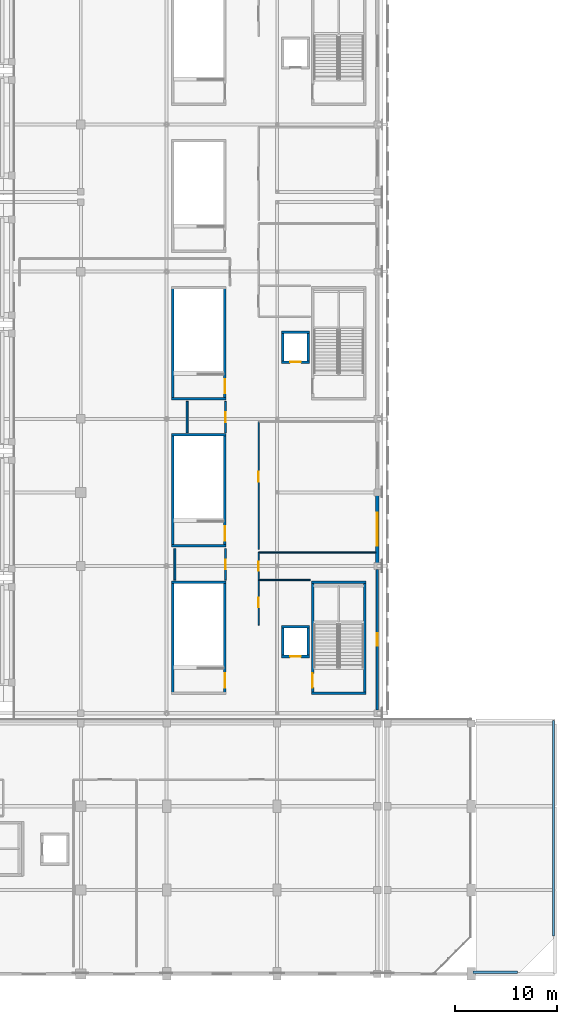
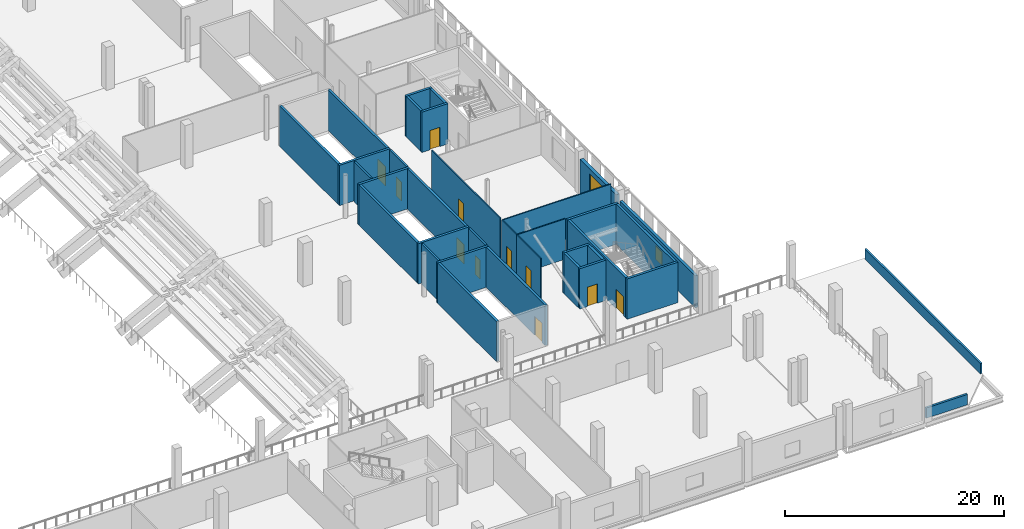
# One storey, part 37 of 74: 35 walls, 11 doors, 2 windows, 13 openings.
"""IFC4 building model written with IfcOpenShell, lengths in metres."""

from ifc_helpers import new_model, si_unit, direction, frame, frame_2d, origin, place, context, subcontext, project, spatial, rectangle, extrude, material, layer, layer_set, type_object, element, fill, save


model = new_model("IFC4")

# Units and contexts
model_context = context("Model", 3, precision=1e-05, world=origin(), true_north=direction((0.0, 1.0)))
body_context = subcontext(model_context, "Body", "Model", "MODEL_VIEW")
ifc_project = project(units=[si_unit("LENGTHUNIT", "METRE"), si_unit("AREAUNIT", "SQUARE_METRE"), si_unit("VOLUMEUNIT", "CUBIC_METRE"), si_unit("PLANEANGLEUNIT", "RADIAN"), si_unit("MASSUNIT", "GRAM", prefix="KILO")], contexts=[model_context])

# Site, building, storey
site_placement = place(None, origin())
site = spatial("IfcSite", under=ifc_project, at=site_placement, CompositionType="ELEMENT")
building_placement = place(site_placement, origin())
building = spatial("IfcBuilding", under=site, at=building_placement, Name="Koshinbarg Plaza Stadium", CompositionType="ELEMENT")
storey_placement = place(building_placement, frame((0.0, 0.0, 15.0)))
storey = spatial("IfcBuildingStorey", under=building, at=storey_placement, Name="L03", CompositionType="ELEMENT", Elevation=15.0)

# Walls
ifc_material_1 = material(Name="Concrete C40/50", Category="concrete")
ifc_layer_1 = layer(ifc_material_1, 0.25)
ifc_layer_set_1 = layer_set([ifc_layer_1], Name="Concrete C40/50")
wall_type_1 = type_object("IfcWallType", Name="WL-CORE-250", PredefinedType="SHEAR", material=ifc_layer_set_1)
for number, where, z_axis, x_axis, name in (
    (1, (211.949951171875, 27.47509765625, 0.0), (0.0, 0.0, 1.0), (1.0, 0.0, 0.0), "L03 core stair shear wall C07-near IWL-L03-0174"),
    (2, (217.320068359375, 38.324951171875, 0.0), (0.0, 0.0, 1.0), (-1.0, 0.0, 0.0), "L03 core stair shear wall C07-far IWL-L03-0175"),
):
    element("IfcWall", number, at=place(storey_placement, frame(where, z_axis=z_axis, x_axis=x_axis)), inside=storey, type_object=wall_type_1, Name=name, PredefinedType="SHEAR", context=body_context, shape_type="SweptSolid", body=[
        extrude(rectangle(XDim=5.3701171875, YDim=0.25, at=frame_2d((2.68505859375, 0.0))), origin(), (0.0, 0.0, 1.0), 4.5),
    ])

# Wall, opening, door
wall_1_placement = place(storey_placement, frame((212.074951171875, 27.47509765625, 0.0), z_axis=(0.0, 0.0, 1.0), x_axis=(0.0, 1.0, 0.0)))
wall_1 = element("IfcWall", 3, at=wall_1_placement, inside=storey, type_object=wall_type_1, Name="L03 core stair shear wall C07-left IWL-L03-0176", PredefinedType="SHEAR", context=body_context, shape_type="SweptSolid", body=[
    extrude(rectangle(XDim=10.849853515625, YDim=0.25, at=frame_2d((5.4248046875, 0.0))), origin(), (0.0, 0.0, 1.0), 4.5),
])
opening_1_placement = place(wall_1_placement, frame((0.52001953125, 0.0, 0.0)))
opening_1 = element("IfcOpeningElement", 4, at=opening_1_placement, cuts=wall_1, Name="Opening D-0106", PredefinedType="OPENING", context=body_context, shape_type="SweptSolid", body=[
    extrude(rectangle(XDim=1.39990234375, YDim=2.14990234375, at=frame_2d((0.699951171875, 1.074951171875))), frame((0.0, 0.135009765625, 0.0), z_axis=(0.0, -1.0, 0.0), x_axis=(1.0, 0.0, 0.0)), (0.0, 0.0, 1.0), 0.27001953125),
])
ifc_material_2 = material(Name="Painted galvanized steel fire door", Category="steel")
door_type_1 = type_object("IfcDoorType", Name="DR-STAIR-1400", OperationType="NOTDEFINED", PredefinedType="DOOR", material=ifc_material_2)
door_1_placement = place(opening_1_placement, frame((1.39990234375, 0.0, 0.0), z_axis=(0.0, 0.0, 1.0), x_axis=(-1.0, 0.0, 0.0)))
door_1 = element("IfcDoor", 5, at=door_1_placement, inside=storey, type_object=door_type_1, Name="L03 exit stair door C07", OperationType="SINGLE_SWING_LEFT", OverallHeight=2.14990234375, OverallWidth=1.39990234375, PredefinedType="DOOR", context=body_context, shape_type="SweptSolid", body=[
    extrude(rectangle(XDim=1.39990234375, YDim=2.14990234375, at=frame_2d((0.699951171875, 1.074951171875))), frame((0.0, 0.02490234375, 0.0), z_axis=(0.0, -1.0, 0.0), x_axis=(1.0, 0.0, 0.0)), (0.0, 0.0, 1.0), 0.050048828125),
])
fill(opening_1, door_1)

# Walls
wall_2_placement = place(storey_placement, frame((217.195068359375, 27.47509765625, 0.0), z_axis=(0.0, 0.0, 1.0), x_axis=(0.0, 1.0, 0.0)))
element("IfcWall", 6, at=wall_2_placement, inside=storey, type_object=wall_type_1, Name="L03 core stair shear wall C07-right IWL-L03-0177", PredefinedType="SHEAR", context=body_context, shape_type="SweptSolid", body=[
    extrude(rectangle(XDim=10.849853515625, YDim=0.25, at=frame_2d((5.4248046875, 0.0))), origin(), (0.0, 0.0, 1.0), 4.5),
])
wall_3_placement = place(storey_placement, frame((203.6201171875, 38.324951171875, 0.0), z_axis=(0.0, 0.0, 1.0), x_axis=(-1.0, 0.0, 0.0)))
element("IfcWall", 7, at=wall_3_placement, inside=storey, type_object=wall_type_1, Name="L03 vomitory stair shear wall VX07-far IWL-L03-0463", PredefinedType="SHEAR", context=body_context, shape_type="SweptSolid", body=[
    extrude(rectangle(XDim=5.3701171875, YDim=0.25, at=frame_2d((2.68505859375, 0.0))), origin(), (0.0, 0.0, 1.0), 4.5),
])
wall_4_placement = place(storey_placement, frame((198.375, 27.47509765625, 0.0), z_axis=(0.0, 0.0, 1.0), x_axis=(0.0, 1.0, 0.0)))
element("IfcWall", 8, at=wall_4_placement, inside=storey, type_object=wall_type_1, Name="L03 vomitory stair shear wall VX07-left IWL-L03-0464", PredefinedType="SHEAR", context=body_context, shape_type="SweptSolid", body=[
    extrude(rectangle(XDim=10.849853515625, YDim=0.25, at=frame_2d((5.4248046875, 0.0))), origin(), (0.0, 0.0, 1.0), 4.5),
])

# Wall, opening, door
wall_5_placement = place(storey_placement, frame((203.4951171875, 27.47509765625, 0.0), z_axis=(0.0, 0.0, 1.0), x_axis=(0.0, 1.0, 0.0)))
wall_5 = element("IfcWall", 9, at=wall_5_placement, inside=storey, type_object=wall_type_1, Name="L03 vomitory stair shear wall VX07-right IWL-L03-0465", PredefinedType="SHEAR", context=body_context, shape_type="SweptSolid", body=[
    extrude(rectangle(XDim=10.849853515625, YDim=0.25, at=frame_2d((5.4248046875, 0.0))), origin(), (0.0, 0.0, 1.0), 4.5),
])
opening_2_placement = place(wall_5_placement, frame((0.52001953125, 0.0, 0.0)))
opening_2 = element("IfcOpeningElement", 10, at=opening_2_placement, cuts=wall_5, Name="Opening D-0178", PredefinedType="OPENING", context=body_context, shape_type="SweptSolid", body=[
    extrude(rectangle(XDim=1.39990234375, YDim=2.14990234375, at=frame_2d((0.699951171875, 1.074951171875))), frame((0.0, 0.135009765625, 0.0), z_axis=(0.0, -1.0, 0.0), x_axis=(1.0, 0.0, 0.0)), (0.0, 0.0, 1.0), 0.27001953125),
])
door_2_placement = place(opening_2_placement, origin())
door_2 = element("IfcDoor", 11, at=door_2_placement, inside=storey, type_object=door_type_1, Name="L03 vomitory exit stair door VX07", OperationType="SINGLE_SWING_LEFT", OverallHeight=2.14990234375, OverallWidth=1.39990234375, PredefinedType="DOOR", context=body_context, shape_type="SweptSolid", body=[
    extrude(rectangle(XDim=1.39990234375, YDim=2.14990234375, at=frame_2d((0.699951171875, 1.074951171875))), frame((0.0, 0.02490234375, 0.0), z_axis=(0.0, -1.0, 0.0), x_axis=(1.0, 0.0, 0.0)), (0.0, 0.0, 1.0), 0.050048828125),
])
fill(opening_2, door_2)

# Walls
for number, where, z_axis, x_axis, name in (
    (12, (198.25, 41.875, 0.0), (0.0, 0.0, 1.0), (1.0, 0.0, 0.0), "L03 vomitory stair shear wall VX08-near IWL-L03-0478"),
    (13, (203.6201171875, 52.72509765625, 0.0), (0.0, 0.0, 1.0), (-1.0, 0.0, 0.0), "L03 vomitory stair shear wall VX08-far IWL-L03-0479"),
):
    element("IfcWall", number, at=place(storey_placement, frame(where, z_axis=z_axis, x_axis=x_axis)), inside=storey, type_object=wall_type_1, Name=name, PredefinedType="SHEAR", context=body_context, shape_type="SweptSolid", body=[
        extrude(rectangle(XDim=5.3701171875, YDim=0.25, at=frame_2d((2.68505859375, 0.0))), origin(), (0.0, 0.0, 1.0), 4.5),
    ])
wall_6_placement = place(storey_placement, frame((198.375, 41.875, 0.0), z_axis=(0.0, 0.0, 1.0), x_axis=(0.0, 1.0, 0.0)))
element("IfcWall", 14, at=wall_6_placement, inside=storey, type_object=wall_type_1, Name="L03 vomitory stair shear wall VX08-left IWL-L03-0480", PredefinedType="SHEAR", context=body_context, shape_type="SweptSolid", body=[
    extrude(rectangle(XDim=10.85009765625, YDim=0.25, at=frame_2d((5.425048828125, 0.0))), origin(), (0.0, 0.0, 1.0), 4.5),
])

# Wall, opening, door
wall_7_placement = place(storey_placement, frame((203.4951171875, 41.875, 0.0), z_axis=(0.0, 0.0, 1.0), x_axis=(0.0, 1.0, 0.0)))
wall_7 = element("IfcWall", 15, at=wall_7_placement, inside=storey, type_object=wall_type_1, Name="L03 vomitory stair shear wall VX08-right IWL-L03-0481", PredefinedType="SHEAR", context=body_context, shape_type="SweptSolid", body=[
    extrude(rectangle(XDim=10.85009765625, YDim=0.25, at=frame_2d((5.425048828125, 0.0))), origin(), (0.0, 0.0, 1.0), 4.5),
])
opening_3_placement = place(wall_7_placement, frame((0.52001953125, 0.0, 0.0)))
opening_3 = element("IfcOpeningElement", 16, at=opening_3_placement, cuts=wall_7, Name="Opening D-0182", PredefinedType="OPENING", context=body_context, shape_type="SweptSolid", body=[
    extrude(rectangle(XDim=1.39990234375, YDim=2.14990234375, at=frame_2d((0.699951171875, 1.074951171875))), frame((0.0, 0.135009765625, 0.0), z_axis=(0.0, -1.0, 0.0), x_axis=(1.0, 0.0, 0.0)), (0.0, 0.0, 1.0), 0.27001953125),
])
door_3_placement = place(opening_3_placement, origin())
door_3 = element("IfcDoor", 17, at=door_3_placement, inside=storey, type_object=door_type_1, Name="L03 vomitory exit stair door VX08", OperationType="SINGLE_SWING_RIGHT", OverallHeight=2.14990234375, OverallWidth=1.39990234375, PredefinedType="DOOR", context=body_context, shape_type="SweptSolid", body=[
    extrude(rectangle(XDim=1.39990234375, YDim=2.14990234375, at=frame_2d((0.699951171875, 1.074951171875))), frame((0.0, 0.02490234375, 0.0), z_axis=(0.0, -1.0, 0.0), x_axis=(1.0, 0.0, 0.0)), (0.0, 0.0, 1.0), 0.050048828125),
])
fill(opening_3, door_3)

# Walls
wall_8_placement = place(storey_placement, frame((198.25, 56.27490234375, 0.0), z_axis=(0.0, 0.0, 1.0), x_axis=(1.0, 0.0, 0.0)))
element("IfcWall", 18, at=wall_8_placement, inside=storey, type_object=wall_type_1, Name="L03 vomitory stair shear wall VX09-near IWL-L03-0494", PredefinedType="SHEAR", context=body_context, shape_type="SweptSolid", body=[
    extrude(rectangle(XDim=5.3701171875, YDim=0.25, at=frame_2d((2.68505859375, 0.0))), origin(), (0.0, 0.0, 1.0), 4.5),
])
wall_9_placement = place(storey_placement, frame((198.375, 56.27490234375, 0.0), z_axis=(0.0, 0.0, 1.0), x_axis=(0.0, 1.0, 0.0)))
element("IfcWall", 19, at=wall_9_placement, inside=storey, type_object=wall_type_1, Name="L03 vomitory stair shear wall VX09-left IWL-L03-0496", PredefinedType="SHEAR", context=body_context, shape_type="SweptSolid", body=[
    extrude(rectangle(XDim=10.85009765625, YDim=0.25, at=frame_2d((5.425048828125, 0.0))), origin(), (0.0, 0.0, 1.0), 4.5),
])

# Wall, opening, door
wall_10_placement = place(storey_placement, frame((203.4951171875, 56.27490234375, 0.0), z_axis=(0.0, 0.0, 1.0), x_axis=(0.0, 1.0, 0.0)))
wall_10 = element("IfcWall", 20, at=wall_10_placement, inside=storey, type_object=wall_type_1, Name="L03 vomitory stair shear wall VX09-right IWL-L03-0497", PredefinedType="SHEAR", context=body_context, shape_type="SweptSolid", body=[
    extrude(rectangle(XDim=10.85009765625, YDim=0.25, at=frame_2d((5.425048828125, 0.0))), origin(), (0.0, 0.0, 1.0), 4.5),
])
opening_4_placement = place(wall_10_placement, frame((0.52001953125, 0.0, 0.0)))
opening_4 = element("IfcOpeningElement", 21, at=opening_4_placement, cuts=wall_10, Name="Opening D-0186", PredefinedType="OPENING", context=body_context, shape_type="SweptSolid", body=[
    extrude(rectangle(XDim=1.39990234375, YDim=2.14990234375, at=frame_2d((0.699951171875, 1.074951171875))), frame((0.0, 0.135009765625, 0.0), z_axis=(0.0, -1.0, 0.0), x_axis=(1.0, 0.0, 0.0)), (0.0, 0.0, 1.0), 0.27001953125),
])
door_4_placement = place(opening_4_placement, origin())
door_4 = element("IfcDoor", 22, at=door_4_placement, inside=storey, type_object=door_type_1, Name="L03 vomitory exit stair door VX09", OperationType="SINGLE_SWING_LEFT", OverallHeight=2.14990234375, OverallWidth=1.39990234375, PredefinedType="DOOR", context=body_context, shape_type="SweptSolid", body=[
    extrude(rectangle(XDim=1.39990234375, YDim=2.14990234375, at=frame_2d((0.699951171875, 1.074951171875))), frame((0.0, 0.02490234375, 0.0), z_axis=(0.0, -1.0, 0.0), x_axis=(1.0, 0.0, 0.0)), (0.0, 0.0, 1.0), 0.050048828125),
])
fill(opening_4, door_4)

wall_11_placement = place(storey_placement, frame((209.02490234375, 31.050048828125, 0.0), z_axis=(0.0, 0.0, 1.0), x_axis=(1.0, 0.0, 0.0)))
wall_11 = element("IfcWall", 23, at=wall_11_placement, inside=storey, type_object=wall_type_1, Name="L03 lift shaft shear wall LP03-S IWL-L03-0874", PredefinedType="SHEAR", context=body_context, shape_type="SweptSolid", body=[
    extrude(rectangle(XDim=2.75, YDim=0.25, at=frame_2d((1.375, 0.0))), origin(), (0.0, 0.0, 1.0), 4.5),
])
opening_5_placement = place(wall_11_placement, frame((0.85009765625, 0.0, 0.0)))
opening_5 = element("IfcOpeningElement", 24, at=opening_5_placement, cuts=wall_11, Name="Opening D-0288", PredefinedType="OPENING", context=body_context, shape_type="SweptSolid", body=[
    extrude(rectangle(XDim=1.050048828125, YDim=2.14990234375, at=frame_2d((0.52490234375, 1.074951171875))), frame((0.0, 0.135009765625, 0.0), z_axis=(0.0, -1.0, 0.0), x_axis=(1.0, 0.0, 0.0)), (0.0, 0.0, 1.0), 0.27001953125),
])
ifc_material_3 = material(Name="Brushed stainless steel sliding lift landing door", Category="steel")
door_type_2 = type_object("IfcDoorType", Name="DR-LIFT-1050", OperationType="NOTDEFINED", PredefinedType="DOOR", material=ifc_material_3)
door_5_placement = place(opening_5_placement, origin())
door_5 = element("IfcDoor", 25, at=door_5_placement, inside=storey, type_object=door_type_2, Name="L03 lift landing door LP03", OperationType="SLIDING_TO_RIGHT", OverallHeight=2.14990234375, OverallWidth=1.050048828125, PredefinedType="DOOR", context=body_context, shape_type="SweptSolid", body=[
    extrude(rectangle(XDim=1.050048828125, YDim=2.14990234375, at=frame_2d((0.52490234375, 1.074951171875))), frame((0.0, 0.02490234375, 0.0), z_axis=(0.0, -1.0, 0.0), x_axis=(1.0, 0.0, 0.0)), (0.0, 0.0, 1.0), 0.050048828125),
])
fill(opening_5, door_5)

# Walls
wall_12_placement = place(storey_placement, frame((211.77490234375, 33.949951171875, 0.0), z_axis=(0.0, 0.0, 1.0), x_axis=(-1.0, 0.0, 0.0)))
element("IfcWall", 26, at=wall_12_placement, inside=storey, type_object=wall_type_1, Name="L03 lift shaft shear wall LP03-N IWL-L03-0875", PredefinedType="SHEAR", context=body_context, shape_type="SweptSolid", body=[
    extrude(rectangle(XDim=2.75, YDim=0.25, at=frame_2d((1.375, 0.0))), origin(), (0.0, 0.0, 1.0), 4.5),
])
for number, where, z_axis, x_axis, name in (
    (27, (209.14990234375, 33.949951171875, 0.0), (0.0, 0.0, 1.0), (0.0, -1.0, 0.0), "L03 lift shaft shear wall LP03-W IWL-L03-0876"),
    (28, (211.64990234375, 31.050048828125, 0.0), (0.0, 0.0, 1.0), (0.0, 1.0, 0.0), "L03 lift shaft shear wall LP03-E IWL-L03-0877"),
):
    element("IfcWall", number, at=place(storey_placement, frame(where, z_axis=z_axis, x_axis=x_axis)), inside=storey, type_object=wall_type_1, Name=name, PredefinedType="SHEAR", context=body_context, shape_type="SweptSolid", body=[
        extrude(rectangle(XDim=2.89990234375, YDim=0.25, at=frame_2d((1.449951171875, 0.0))), origin(), (0.0, 0.0, 1.0), 4.5),
    ])

# Wall, opening, door
wall_13_placement = place(storey_placement, frame((209.02490234375, 59.85009765625, 0.0), z_axis=(0.0, 0.0, 1.0), x_axis=(1.0, 0.0, 0.0)))
wall_13 = element("IfcWall", 29, at=wall_13_placement, inside=storey, type_object=wall_type_1, Name="L03 lift shaft shear wall LP04-S IWL-L03-0898", PredefinedType="SHEAR", context=body_context, shape_type="SweptSolid", body=[
    extrude(rectangle(XDim=2.75, YDim=0.25, at=frame_2d((1.375, 0.0))), origin(), (0.0, 0.0, 1.0), 4.5),
])
opening_6_placement = place(wall_13_placement, frame((0.85009765625, 0.0, 0.0)))
opening_6 = element("IfcOpeningElement", 30, at=opening_6_placement, cuts=wall_13, Name="Opening D-0294", PredefinedType="OPENING", context=body_context, shape_type="SweptSolid", body=[
    extrude(rectangle(XDim=1.050048828125, YDim=2.14990234375, at=frame_2d((0.52490234375, 1.074951171875))), frame((0.0, 0.135009765625, 0.0), z_axis=(0.0, -1.0, 0.0), x_axis=(1.0, 0.0, 0.0)), (0.0, 0.0, 1.0), 0.27001953125),
])
door_6_placement = place(opening_6_placement, origin())
door_6 = element("IfcDoor", 31, at=door_6_placement, inside=storey, type_object=door_type_2, Name="L03 lift landing door LP04", OperationType="SLIDING_TO_LEFT", OverallHeight=2.14990234375, OverallWidth=1.050048828125, PredefinedType="DOOR", context=body_context, shape_type="SweptSolid", body=[
    extrude(rectangle(XDim=1.050048828125, YDim=2.14990234375, at=frame_2d((0.52490234375, 1.074951171875))), frame((0.0, 0.02490234375, 0.0), z_axis=(0.0, -1.0, 0.0), x_axis=(1.0, 0.0, 0.0)), (0.0, 0.0, 1.0), 0.050048828125),
])
fill(opening_6, door_6)

# Walls
wall_14_placement = place(storey_placement, frame((211.77490234375, 62.75, 0.0), z_axis=(0.0, 0.0, 1.0), x_axis=(-1.0, 0.0, 0.0)))
element("IfcWall", 32, at=wall_14_placement, inside=storey, type_object=wall_type_1, Name="L03 lift shaft shear wall LP04-N IWL-L03-0899", PredefinedType="SHEAR", context=body_context, shape_type="SweptSolid", body=[
    extrude(rectangle(XDim=2.75, YDim=0.25, at=frame_2d((1.375, 0.0))), origin(), (0.0, 0.0, 1.0), 4.5),
])
for number, where, z_axis, x_axis, name in (
    (33, (209.14990234375, 62.75, 0.0), (0.0, 0.0, 1.0), (0.0, -1.0, 0.0), "L03 lift shaft shear wall LP04-W IWL-L03-0900"),
    (34, (211.64990234375, 59.85009765625, 0.0), (0.0, 0.0, 1.0), (0.0, 1.0, 0.0), "L03 lift shaft shear wall LP04-E IWL-L03-0901"),
):
    element("IfcWall", number, at=place(storey_placement, frame(where, z_axis=z_axis, x_axis=x_axis)), inside=storey, type_object=wall_type_1, Name=name, PredefinedType="SHEAR", context=body_context, shape_type="SweptSolid", body=[
        extrude(rectangle(XDim=2.89990234375, YDim=0.25, at=frame_2d((1.449951171875, 0.0))), origin(), (0.0, 0.0, 1.0), 4.5),
    ])

# Wall, opening, window
ifc_material_4 = material(Name="Terracotta-ochre mineral plaster insulated wall", Category="masonry")
ifc_layer_2 = layer(ifc_material_4, 0.280029296875)
ifc_layer_set_2 = layer_set([ifc_layer_2], Name="Terracotta-ochre mineral plaster insulated wall")
wall_type_2 = type_object("IfcWallType", Name="WL-EXT-280", PredefinedType="SOLIDWALL", material=ifc_layer_set_2)
wall_15_placement = place(storey_placement, frame((218.39990234375, 39.580078125, 0.0), z_axis=(0.0, 0.0, 1.0), x_axis=(0.0, -1.0, 0.0)))
wall_15 = element("IfcWall", 35, at=wall_15_placement, inside=storey, type_object=wall_type_2, Name="L03 exterior envelope wall EWL-L03-0184", PredefinedType="SOLIDWALL", context=body_context, shape_type="SweptSolid", body=[
    extrude(rectangle(XDim=13.760009765625, YDim=0.280029296875, at=frame_2d((6.8798828125, 0.0))), origin(), (0.0, 0.0, 1.0), 3.580078125),
])
opening_7_placement = place(wall_15_placement, frame((6.280029296875, 0.0, 0.89990234375)))
opening_7 = element("IfcOpeningElement", 36, at=opening_7_placement, cuts=wall_15, Name="Opening WN01", PredefinedType="OPENING", context=body_context, shape_type="SweptSolid", body=[
    extrude(rectangle(XDim=1.199951171875, YDim=1.5, at=frame_2d((0.60009765625, 0.75))), frame((0.0, 0.14990234375, 0.0), z_axis=(0.0, -1.0, 0.0), x_axis=(1.0, 0.0, 0.0)), (0.0, 0.0, 1.0), 0.300048828125),
])
ifc_material_5 = material(Name="Solar-control double glazing in thermally broken aluminium frame", Category="aluminium")
window_type_1 = type_object("IfcWindowType", Name="WN-FAC-01", PartitioningType="DOUBLE_PANEL_VERTICAL", PredefinedType="WINDOW", material=ifc_material_5)
window_1_placement = place(opening_7_placement, origin())
window_1 = element("IfcWindow", 37, at=window_1_placement, inside=storey, type_object=window_type_1, Name="L03 facade window 0117", OverallHeight=1.5, OverallWidth=1.199951171875, PartitioningType="SINGLE_PANEL", PredefinedType="WINDOW", context=body_context, shape_type="SweptSolid", body=[
    extrude(rectangle(XDim=1.199951171875, YDim=1.5, at=frame_2d((0.60009765625, 0.75))), frame((0.0, 0.030029296875, 0.0), z_axis=(0.0, -1.0, 0.0), x_axis=(1.0, 0.0, 0.0)), (0.0, 0.0, 1.0), 0.06005859375),
])
fill(opening_7, window_1)

ifc_material_6 = material(Name="Acoustic insulated masonry stadium wall", Category="masonry")
ifc_layer_3 = layer(ifc_material_6, 0.35009765625)
ifc_layer_set_3 = layer_set([ifc_layer_3], Name="Acoustic insulated masonry stadium wall")
wall_type_3 = type_object("IfcWallType", Name="WL-EXT-350", PredefinedType="SOLIDWALL", material=ifc_layer_set_3)
wall_16_placement = place(storey_placement, frame((218.39990234375, 46.780029296875, 0.0), z_axis=(0.0, 0.0, 1.0), x_axis=(0.0, -1.0, 0.0)))
wall_16 = element("IfcWall", 38, at=wall_16_placement, inside=storey, type_object=wall_type_3, Name="L03 exterior envelope wall EWL-L03-0183", PredefinedType="SOLIDWALL", context=body_context, shape_type="SweptSolid", body=[
    extrude(rectangle(XDim=6.56005859375, YDim=0.35009765625, at=frame_2d((3.280029296875, 0.0))), origin(), (0.0, 0.0, 1.0), 3.8798828125),
])
opening_8_placement = place(wall_16_placement, frame((1.679931640625, 0.0, 0.89990234375)))
opening_8 = element("IfcOpeningElement", 39, at=opening_8_placement, cuts=wall_16, Name="Opening WN22", PredefinedType="OPENING", context=body_context, shape_type="SweptSolid", body=[
    extrude(rectangle(XDim=3.199951171875, YDim=2.39990234375, at=frame_2d((1.60009765625, 1.199951171875))), frame((0.0, 0.18505859375, 0.0), z_axis=(0.0, -1.0, 0.0), x_axis=(1.0, 0.0, 0.0)), (0.0, 0.0, 1.0), 0.3701171875),
])
window_type_2 = type_object("IfcWindowType", Name="WN-FAC-22", PartitioningType="DOUBLE_PANEL_VERTICAL", PredefinedType="WINDOW", material=ifc_material_5)
window_2_placement = place(opening_8_placement, origin())
window_2 = element("IfcWindow", 40, at=window_2_placement, inside=storey, type_object=window_type_2, Name="L03 facade window 0116", OverallHeight=2.39990234375, OverallWidth=3.199951171875, PartitioningType="SINGLE_PANEL", PredefinedType="WINDOW", context=body_context, shape_type="SweptSolid", body=[
    extrude(rectangle(XDim=3.199951171875, YDim=2.39990234375, at=frame_2d((1.60009765625, 1.199951171875))), frame((0.0, 0.030029296875, 0.0), z_axis=(0.0, -1.0, 0.0), x_axis=(1.0, 0.0, 0.0)), (0.0, 0.0, 1.0), 0.06005859375),
])
fill(opening_8, window_2)

# Walls
ifc_material_7 = material(Name="Precast concrete C40/50", Category="concrete")
ifc_layer_4 = layer(ifc_material_7, 0.199951171875)
ifc_layer_set_4 = layer_set([ifc_layer_4], Name="Precast concrete C40/50")
wall_type_4 = type_object("IfcWallType", Name="WL-PAR-200", PredefinedType="PARAPET", material=ifc_layer_set_4)
wall_17_placement = place(storey_placement, frame((235.64990234375, 24.800048828125, 0.0), z_axis=(0.0, 0.0, 1.0), x_axis=(0.0, -1.0, 0.0)))
element("IfcWall", 41, at=wall_17_placement, inside=storey, type_object=wall_type_4, Name="L03 stepped pavilion roof parapet 042", PredefinedType="PARAPET", context=body_context, shape_type="SweptSolid", body=[
    extrude(rectangle(XDim=21.10009765625, YDim=0.199951171875, at=frame_2d((10.550048828125, 0.0))), origin(), (0.0, 0.0, 1.0), 1.14990234375),
])
ifc_layer_5 = layer(ifc_material_7, 0.219970703125)
ifc_layer_set_5 = layer_set([ifc_layer_5], Name="Precast concrete C40/50")
wall_type_5 = type_object("IfcWallType", Name="WL-PAR-220", PredefinedType="PARAPET", material=ifc_layer_set_5)
wall_18_placement = place(storey_placement, frame((232.10009765625, 0.14990234375, 0.0), z_axis=(0.0, 0.0, 1.0), x_axis=(-1.0, 0.0, 0.0)))
element("IfcWall", 42, at=wall_18_placement, inside=storey, type_object=wall_type_5, Name="L03 stepped pavilion roof parapet 043", PredefinedType="PARAPET", context=body_context, shape_type="SweptSolid", body=[
    extrude(rectangle(XDim=4.35009765625, YDim=0.219970703125, at=frame_2d((2.175048828125, 0.0))), origin(), (0.0, 0.0, 1.0), 1.14990234375),
])
ifc_material_8 = material(Name="Gypsum board metal-stud acoustic partition")
ifc_layer_6 = layer(ifc_material_8, 0.1201171875)
ifc_layer_set_6 = layer_set([ifc_layer_6], Name="Gypsum board metal-stud acoustic partition")
wall_type_6 = type_object("IfcWallType", Name="WL-PART-120", PredefinedType="PARTITIONING", material=ifc_layer_set_6)
wall_19_placement = place(storey_placement, frame((218.2548828125, 41.234375, 0.0), z_axis=(0.0, 0.0, 1.0), x_axis=(-1.0, 0.0, 0.0)))
element("IfcWall", 43, at=wall_19_placement, inside=storey, type_object=wall_type_6, Name="L03 interior partition L03-83-north IWL-L03-1967", PredefinedType="PARTITIONING", context=body_context, shape_type="SweptSolid", body=[
    extrude(rectangle(XDim=11.454833984375, YDim=0.1201171875, at=frame_2d((5.7275390625, 0.0))), origin(), (0.0, 0.0, 1.0), 4.5),
])

# Wall, opening, door
wall_20_placement = place(storey_placement, frame((206.800048828125, 41.234375, 0.0), z_axis=(0.0, 0.0, 1.0), x_axis=(0.0, -1.0, 0.0)))
wall_20 = element("IfcWall", 44, at=wall_20_placement, inside=storey, type_object=wall_type_6, Name="L03 interior partition L03-83-west IWL-L03-1968", PredefinedType="PARTITIONING", context=body_context, shape_type="SweptSolid", body=[
    extrude(rectangle(XDim=2.704345703125, YDim=0.1201171875, at=frame_2d((1.35205078125, 0.0))), origin(), (0.0, 0.0, 1.0), 4.5),
])
opening_9_placement = place(wall_20_placement, frame((0.89208984375, 0.0, 0.0)))
opening_9 = element("IfcOpeningElement", 45, at=opening_9_placement, cuts=wall_20, Name="Opening D-0673", PredefinedType="OPENING", context=body_context, shape_type="SweptSolid", body=[
    extrude(rectangle(XDim=0.919921875, YDim=2.10009765625, at=frame_2d((0.4599609375, 1.050048828125))), frame((0.0, 0.070068359375, 0.0), z_axis=(0.0, -1.0, 0.0), x_axis=(1.0, 0.0, 0.0)), (0.0, 0.0, 1.0), 0.14013671875),
])
ifc_material_9 = material(Name="Solid-core oak veneer acoustic door")
door_type_3 = type_object("IfcDoorType", Name="DR-INT-0920x2100", OperationType="NOTDEFINED", PredefinedType="DOOR", material=ifc_material_9)
door_7_placement = place(opening_9_placement, origin())
door_7 = element("IfcDoor", 46, at=door_7_placement, inside=storey, type_object=door_type_3, Name="L03 East Family Cafe Hall door D-0673", OperationType="SINGLE_SWING_LEFT", OverallHeight=2.10009765625, OverallWidth=0.919921875, PredefinedType="DOOR", context=body_context, shape_type="SweptSolid", body=[
    extrude(rectangle(XDim=0.919921875, YDim=2.10009765625, at=frame_2d((0.4599609375, 1.050048828125))), frame((0.0, 0.02490234375, 0.0), z_axis=(0.0, -1.0, 0.0), x_axis=(1.0, 0.0, 0.0)), (0.0, 0.0, 1.0), 0.050048828125),
])
fill(opening_9, door_7)

# Wall
wall_21_placement = place(storey_placement, frame((211.8701171875, 38.530029296875, 0.0), z_axis=(0.0, 0.0, 1.0), x_axis=(-1.0, 0.0, 0.0)))
element("IfcWall", 47, at=wall_21_placement, inside=storey, type_object=wall_type_6, Name="L03 interior partition L03-84-north IWL-L03-1969", PredefinedType="PARTITIONING", context=body_context, shape_type="SweptSolid", body=[
    extrude(rectangle(XDim=5.070068359375, YDim=0.1201171875, at=frame_2d((2.53515625, 0.0))), origin(), (0.0, 0.0, 1.0), 4.5),
])

# Wall, opening, door
wall_22_placement = place(storey_placement, frame((206.800048828125, 38.530029296875, 0.0), z_axis=(0.0, 0.0, 1.0), x_axis=(0.0, -1.0, 0.0)))
wall_22 = element("IfcWall", 48, at=wall_22_placement, inside=storey, type_object=wall_type_6, Name="L03 interior partition L03-84-west IWL-L03-1970", PredefinedType="PARTITIONING", context=body_context, shape_type="SweptSolid", body=[
    extrude(rectangle(XDim=4.400146484375, YDim=0.1201171875, at=frame_2d((2.2001953125, 0.0))), origin(), (0.0, 0.0, 1.0), 4.5),
])
opening_10_placement = place(wall_22_placement, frame((1.739990234375, 0.0, 0.0)))
opening_10 = element("IfcOpeningElement", 49, at=opening_10_placement, cuts=wall_22, Name="Opening D-0674", PredefinedType="OPENING", context=body_context, shape_type="SweptSolid", body=[
    extrude(rectangle(XDim=0.919921875, YDim=2.10009765625, at=frame_2d((0.4599609375, 1.050048828125))), frame((0.0, 0.070068359375, 0.0), z_axis=(0.0, -1.0, 0.0), x_axis=(1.0, 0.0, 0.0)), (0.0, 0.0, 1.0), 0.14013671875),
])
door_8_placement = place(opening_10_placement, origin())
door_8 = element("IfcDoor", 50, at=door_8_placement, inside=storey, type_object=door_type_3, Name="L03 Youth Fan Zone Hall door D-0674", OperationType="SINGLE_SWING_RIGHT", OverallHeight=2.10009765625, OverallWidth=0.919921875, PredefinedType="DOOR", context=body_context, shape_type="SweptSolid", body=[
    extrude(rectangle(XDim=0.919921875, YDim=2.10009765625, at=frame_2d((0.4599609375, 1.050048828125))), frame((0.0, 0.02490234375, 0.0), z_axis=(0.0, -1.0, 0.0), x_axis=(1.0, 0.0, 0.0)), (0.0, 0.0, 1.0), 0.050048828125),
])
fill(opening_10, door_8)

wall_23_placement = place(storey_placement, frame((206.800048828125, 54.030029296875, 0.0), z_axis=(0.0, 0.0, 1.0), x_axis=(0.0, -1.0, 0.0)))
wall_23 = element("IfcWall", 51, at=wall_23_placement, inside=storey, type_object=wall_type_6, Name="L03 interior partition L03-85-west IWL-L03-1972", PredefinedType="PARTITIONING", context=body_context, shape_type="SweptSolid", body=[
    extrude(rectangle(XDim=12.495849609375, YDim=0.1201171875, at=frame_2d((6.248046875, 0.0))), origin(), (0.0, 0.0, 1.0), 4.5),
])
opening_11_placement = place(wall_23_placement, frame((4.90087890625, 0.0, 0.0)))
opening_11 = element("IfcOpeningElement", 52, at=opening_11_placement, cuts=wall_23, Name="Opening D-0675", PredefinedType="OPENING", context=body_context, shape_type="SweptSolid", body=[
    extrude(rectangle(XDim=0.9599609375, YDim=2.10009765625, at=frame_2d((0.47998046875, 1.050048828125))), frame((0.0, 0.070068359375, 0.0), z_axis=(0.0, -1.0, 0.0), x_axis=(1.0, 0.0, 0.0)), (0.0, 0.0, 1.0), 0.14013671875),
])
door_type_4 = type_object("IfcDoorType", Name="DR-INT-0960x2100", OperationType="NOTDEFINED", PredefinedType="DOOR", material=ifc_material_9)
door_9_placement = place(opening_11_placement, origin())
door_9 = element("IfcDoor", 53, at=door_9_placement, inside=storey, type_object=door_type_4, Name="L03 Youth Fan Zone Hall door D-0675", OperationType="SINGLE_SWING_LEFT", OverallHeight=2.10009765625, OverallWidth=0.9599609375, PredefinedType="DOOR", context=body_context, shape_type="SweptSolid", body=[
    extrude(rectangle(XDim=0.9599609375, YDim=2.10009765625, at=frame_2d((0.47998046875, 1.050048828125))), frame((0.0, 0.02490234375, 0.0), z_axis=(0.0, -1.0, 0.0), x_axis=(1.0, 0.0, 0.0)), (0.0, 0.0, 1.0), 0.050048828125),
])
fill(opening_11, door_9)

ifc_material_10 = material(Name="Moisture-resistant tiled sanitary partition")
ifc_layer_7 = layer(ifc_material_10, 0.179931640625)
ifc_layer_set_7 = layer_set([ifc_layer_7], Name="Moisture-resistant tiled sanitary partition")
wall_type_7 = type_object("IfcWallType", Name="WL-PART-180", PredefinedType="PARTITIONING", material=ifc_layer_set_7)
wall_24_placement = place(storey_placement, frame((203.550048828125, 38.530029296875, 0.0), z_axis=(0.0, 0.0, 1.0), x_axis=(0.0, 1.0, 0.0)))
wall_24 = element("IfcWall", 54, at=wall_24_placement, inside=storey, type_object=wall_type_7, Name="L03 interior partition L03-59-east IWL-L03-1923", PredefinedType="PARTITIONING", context=body_context, shape_type="SweptSolid", body=[
    extrude(rectangle(XDim=3.070068359375, YDim=0.179931640625, at=frame_2d((1.53515625, 0.0))), origin(), (0.0, 0.0, 1.0), 4.5),
])
opening_12_placement = place(wall_24_placement, frame((1.074951171875, 0.0, 0.0)))
opening_12 = element("IfcOpeningElement", 55, at=opening_12_placement, cuts=wall_24, Name="Opening D-0653", PredefinedType="OPENING", context=body_context, shape_type="SweptSolid", body=[
    extrude(rectangle(XDim=0.919921875, YDim=2.10009765625, at=frame_2d((0.4599609375, 1.050048828125))), frame((0.0, 0.099853515625, 0.0), z_axis=(0.0, -1.0, 0.0), x_axis=(1.0, 0.0, 0.0)), (0.0, 0.0, 1.0), 0.199951171875),
])
door_10_placement = place(opening_12_placement, origin())
door_10 = element("IfcDoor", 56, at=door_10_placement, inside=storey, type_object=door_type_3, Name="L03 Public Restroom 2 door D-0653", OperationType="SINGLE_SWING_LEFT", OverallHeight=2.10009765625, OverallWidth=0.919921875, PredefinedType="DOOR", context=body_context, shape_type="SweptSolid", body=[
    extrude(rectangle(XDim=0.919921875, YDim=2.10009765625, at=frame_2d((0.4599609375, 1.050048828125))), frame((0.0, 0.02490234375, 0.0), z_axis=(0.0, -1.0, 0.0), x_axis=(1.0, 0.0, 0.0)), (0.0, 0.0, 1.0), 0.050048828125),
])
fill(opening_12, door_10)

# Wall
wall_25_placement = place(storey_placement, frame((198.60009765625, 41.60009765625, 0.0), z_axis=(0.0, 0.0, 1.0), x_axis=(0.0, -1.0, 0.0)))
element("IfcWall", 57, at=wall_25_placement, inside=storey, type_object=wall_type_7, Name="L03 interior partition L03-59-west IWL-L03-1924", PredefinedType="PARTITIONING", context=body_context, shape_type="SweptSolid", body=[
    extrude(rectangle(XDim=3.070068359375, YDim=0.179931640625, at=frame_2d((1.53515625, 0.0))), origin(), (0.0, 0.0, 1.0), 4.5),
])

# Wall, opening, door
wall_26_placement = place(storey_placement, frame((203.550048828125, 52.929931640625, 0.0), z_axis=(0.0, 0.0, 1.0), x_axis=(0.0, 1.0, 0.0)))
wall_26 = element("IfcWall", 58, at=wall_26_placement, inside=storey, type_object=wall_type_7, Name="L03 interior partition L03-60-east IWL-L03-1925", PredefinedType="PARTITIONING", context=body_context, shape_type="SweptSolid", body=[
    extrude(rectangle(XDim=3.070068359375, YDim=0.179931640625, at=frame_2d((1.53515625, 0.0))), origin(), (0.0, 0.0, 1.0), 4.5),
])
opening_13_placement = place(wall_26_placement, frame((1.034912109375, 0.0, 0.0)))
opening_13 = element("IfcOpeningElement", 59, at=opening_13_placement, cuts=wall_26, Name="Opening D-0654", PredefinedType="OPENING", context=body_context, shape_type="SweptSolid", body=[
    extrude(rectangle(XDim=1.0, YDim=2.10009765625, at=frame_2d((0.5, 1.050048828125))), frame((0.0, 0.099853515625, 0.0), z_axis=(0.0, -1.0, 0.0), x_axis=(1.0, 0.0, 0.0)), (0.0, 0.0, 1.0), 0.199951171875),
])
ifc_material_11 = material(Name="Solid-core laminate accessible WC door")
door_type_5 = type_object("IfcDoorType", Name="DR-INT-1000x2100", OperationType="NOTDEFINED", PredefinedType="DOOR", material=ifc_material_11)
door_11_placement = place(opening_13_placement, origin())
door_11 = element("IfcDoor", 60, at=door_11_placement, inside=storey, type_object=door_type_5, Name="L03 Accessible WC 2 door D-0654", OperationType="SINGLE_SWING_RIGHT", OverallHeight=2.10009765625, OverallWidth=1.0, PredefinedType="DOOR", context=body_context, shape_type="SweptSolid", body=[
    extrude(rectangle(XDim=1.0, YDim=2.10009765625, at=frame_2d((0.5, 1.050048828125))), frame((0.0, 0.02490234375, 0.0), z_axis=(0.0, -1.0, 0.0), x_axis=(1.0, 0.0, 0.0)), (0.0, 0.0, 1.0), 0.050048828125),
])
fill(opening_13, door_11)

# Wall
wall_27_placement = place(storey_placement, frame((199.800048828125, 56.0, 0.0), z_axis=(0.0, 0.0, 1.0), x_axis=(0.0, -1.0, 0.0)))
element("IfcWall", 61, at=wall_27_placement, inside=storey, type_object=wall_type_7, Name="L03 interior partition L03-60-west IWL-L03-1926", PredefinedType="PARTITIONING", context=body_context, shape_type="SweptSolid", body=[
    extrude(rectangle(XDim=3.070068359375, YDim=0.179931640625, at=frame_2d((1.53515625, 0.0))), origin(), (0.0, 0.0, 1.0), 4.5),
])

save(model, "model.ifc")
